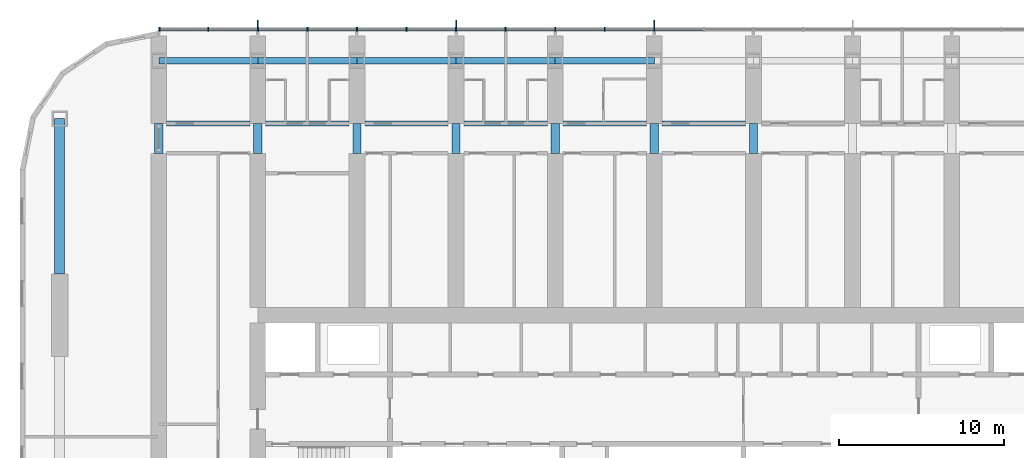
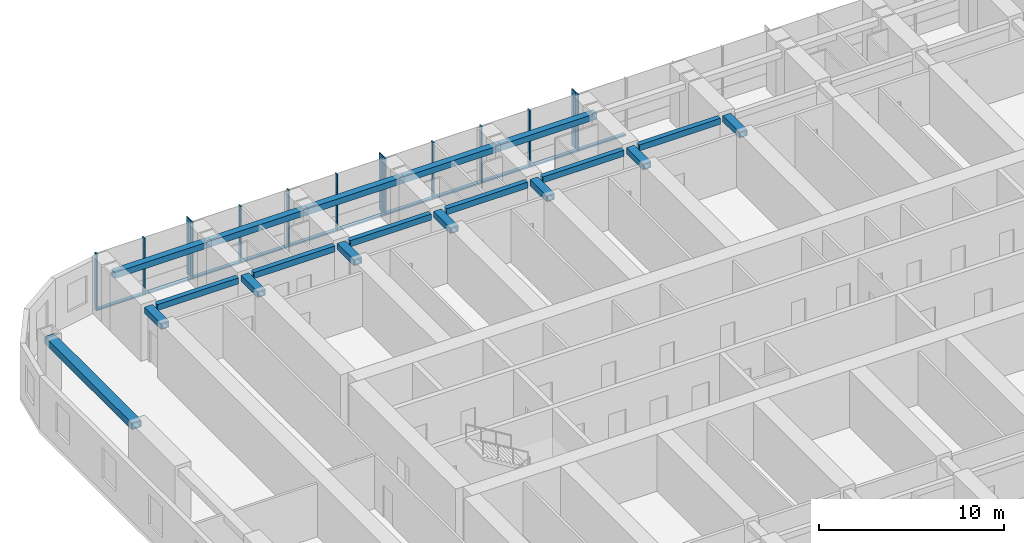
# One storey, part 4 of 21: 25 members, 19 beams, 1 element without a shape of its own.
"""IFC4 building model written with IfcOpenShell, lengths in metres."""

from ifc_helpers import new_model, si_unit, direction, frame, origin, origin_2d, place, context, subcontext, project, spatial, rectangle, hollow_rectangle, extrude, material, material_profile, profile_set, type_object, element, aggregate, save


model = new_model("IFC4")

# Units and contexts
model_context = context("Model", 3, precision=1e-05, world=origin(), true_north=direction((0.0, 1.0)))
body_context = subcontext(model_context, "Body", "Model", "MODEL_VIEW")
ifc_project = project(units=[si_unit("LENGTHUNIT", "METRE"), si_unit("AREAUNIT", "SQUARE_METRE"), si_unit("VOLUMEUNIT", "CUBIC_METRE"), si_unit("PLANEANGLEUNIT", "RADIAN"), si_unit("MASSUNIT", "GRAM", prefix="KILO")], contexts=[model_context])

# Site, building, storey
site_placement = place(None, origin())
site = spatial("IfcSite", under=ifc_project, at=site_placement, CompositionType="ELEMENT")
building_placement = place(site_placement, origin())
building = spatial("IfcBuilding", under=site, at=building_placement, Name="Orbita Commons", CompositionType="ELEMENT")
storey_placement = place(building_placement, frame((0.0, 0.0, 125.64990234375)))
storey = spatial("IfcBuildingStorey", under=building, at=storey_placement, Name="L31", CompositionType="ELEMENT", Elevation=125.64990234375)

# Curtain wall, members
ifc_material_1 = material(Name="Anodised aluminium frame, pale silver", Category="aluminium")
curtain_wall_type = type_object("IfcCurtainWallType", Name="Unitised curtain wall CW-T, vision and spandrel", PredefinedType="NOTDEFINED", material=ifc_material_1)
curtain_wall_placement = place(storey_placement, origin())
curtain_wall = element("IfcCurtainWall", 1, at=curtain_wall_placement, inside=storey, type_object=curtain_wall_type, Name="Curtain wall north L31", PredefinedType="NOTDEFINED")
ifc_material_2 = material(Name="Anodised aluminium, pale silver", Category="aluminium")
ifc_material_profile_1 = material_profile(ifc_material_2, rectangle(XDim=0.080078125, YDim=0.219970703125, at=origin_2d()), Name="AL 80x220")
ifc_profile_set_1 = profile_set([ifc_material_profile_1], Name="Anodised aluminium, pale silver")
member_type_1 = type_object("IfcMemberType", Name="Curtain wall mullion 80x220", PredefinedType="MULLION", material=ifc_profile_set_1)
member_1_placement = place(storey_placement, frame((42.0, 55.510009765625, -0.25), z_axis=(0.0, 0.0, 1.0), x_axis=(-1.0, 0.0, 0.0)))
member_1 = element("IfcMember", 2, at=member_1_placement, type_object=member_type_1, Name="Mullion 9 CW-L31-N", PredefinedType="MULLION", context=body_context, shape_type="SweptSolid", body=[
    extrude(rectangle(XDim=0.080078125, YDim=0.219970703125, at=origin_2d()), origin(), (0.0, 0.0, 1.0), 3.75),
])
member_2_placement = place(storey_placement, frame((39.0, 55.510009765625, -0.25), z_axis=(0.0, 0.0, 1.0), x_axis=(-1.0, 0.0, 0.0)))
member_2 = element("IfcMember", 3, at=member_2_placement, type_object=member_type_1, Name="Mullion 10 CW-L31-N", PredefinedType="MULLION", context=body_context, shape_type="SweptSolid", body=[
    extrude(rectangle(XDim=0.080078125, YDim=0.219970703125, at=origin_2d()), origin(), (0.0, 0.0, 1.0), 3.75),
])
member_3_placement = place(storey_placement, frame((36.0, 55.510009765625, -0.25), z_axis=(0.0, 0.0, 1.0), x_axis=(-1.0, 0.0, 0.0)))
member_3 = element("IfcMember", 4, at=member_3_placement, type_object=member_type_1, Name="Mullion 11 CW-L31-N", PredefinedType="MULLION", context=body_context, shape_type="SweptSolid", body=[
    extrude(rectangle(XDim=0.080078125, YDim=0.219970703125, at=origin_2d()), origin(), (0.0, 0.0, 1.0), 3.75),
])
member_4_placement = place(storey_placement, frame((33.0, 55.510009765625, -0.25), z_axis=(0.0, 0.0, 1.0), x_axis=(-1.0, 0.0, 0.0)))
member_4 = element("IfcMember", 5, at=member_4_placement, type_object=member_type_1, Name="Mullion 12 CW-L31-N", PredefinedType="MULLION", context=body_context, shape_type="SweptSolid", body=[
    extrude(rectangle(XDim=0.080078125, YDim=0.219970703125, at=origin_2d()), origin(), (0.0, 0.0, 1.0), 3.75),
])
member_5_placement = place(storey_placement, frame((30.0, 55.510009765625, -0.25), z_axis=(0.0, 0.0, 1.0), x_axis=(-1.0, 0.0, 0.0)))
member_5 = element("IfcMember", 6, at=member_5_placement, type_object=member_type_1, Name="Mullion 13 CW-L31-N", PredefinedType="MULLION", context=body_context, shape_type="SweptSolid", body=[
    extrude(rectangle(XDim=0.080078125, YDim=0.219970703125, at=origin_2d()), origin(), (0.0, 0.0, 1.0), 3.75),
])
member_6_placement = place(storey_placement, frame((27.0, 55.510009765625, -0.25), z_axis=(0.0, 0.0, 1.0), x_axis=(-1.0, 0.0, 0.0)))
member_6 = element("IfcMember", 7, at=member_6_placement, type_object=member_type_1, Name="Mullion 14 CW-L31-N", PredefinedType="MULLION", context=body_context, shape_type="SweptSolid", body=[
    extrude(rectangle(XDim=0.080078125, YDim=0.219970703125, at=origin_2d()), origin(), (0.0, 0.0, 1.0), 3.75),
])
member_7_placement = place(storey_placement, frame((24.0, 55.510009765625, -0.25), z_axis=(0.0, 0.0, 1.0), x_axis=(-1.0, 0.0, 0.0)))
member_7 = element("IfcMember", 8, at=member_7_placement, type_object=member_type_1, Name="Mullion 15 CW-L31-N", PredefinedType="MULLION", context=body_context, shape_type="SweptSolid", body=[
    extrude(rectangle(XDim=0.080078125, YDim=0.219970703125, at=origin_2d()), origin(), (0.0, 0.0, 1.0), 3.75),
])
member_8_placement = place(storey_placement, frame((21.0, 55.510009765625, -0.25), z_axis=(0.0, 0.0, 1.0), x_axis=(-1.0, 0.0, 0.0)))
member_8 = element("IfcMember", 9, at=member_8_placement, type_object=member_type_1, Name="Mullion 16 CW-L31-N", PredefinedType="MULLION", context=body_context, shape_type="SweptSolid", body=[
    extrude(rectangle(XDim=0.080078125, YDim=0.219970703125, at=origin_2d()), origin(), (0.0, 0.0, 1.0), 3.75),
])
member_9_placement = place(storey_placement, frame((18.0, 55.510009765625, -0.25), z_axis=(0.0, 0.0, 1.0), x_axis=(-1.0, 0.0, 0.0)))
member_9 = element("IfcMember", 10, at=member_9_placement, type_object=member_type_1, Name="Mullion 17 CW-L31-N", PredefinedType="MULLION", context=body_context, shape_type="SweptSolid", body=[
    extrude(rectangle(XDim=0.080078125, YDim=0.219970703125, at=origin_2d()), origin(), (0.0, 0.0, 1.0), 3.75),
])
member_10_placement = place(storey_placement, frame((15.0, 55.510009765625, -0.25), z_axis=(0.0, 0.0, 1.0), x_axis=(-1.0, 0.0, 0.0)))
member_10 = element("IfcMember", 11, at=member_10_placement, type_object=member_type_1, Name="Mullion 18 CW-L31-N", PredefinedType="MULLION", context=body_context, shape_type="SweptSolid", body=[
    extrude(rectangle(XDim=0.080078125, YDim=0.219970703125, at=origin_2d()), origin(), (0.0, 0.0, 1.0), 3.75),
])
member_11_placement = place(storey_placement, frame((12.0400390625, 55.510009765625, -0.25), z_axis=(0.0, 0.0, 1.0), x_axis=(-1.0, 0.0, 0.0)))
member_11 = element("IfcMember", 12, at=member_11_placement, type_object=member_type_1, Name="Mullion 19 CW-L31-N", PredefinedType="MULLION", context=body_context, shape_type="SweptSolid", body=[
    extrude(rectangle(XDim=0.080078125, YDim=0.219970703125, at=origin_2d()), origin(), (0.0, 0.0, 1.0), 3.75),
])
ifc_material_3 = material(Name="Anodised aluminium, pale silver", Category="aluminium")
ifc_material_profile_2 = material_profile(ifc_material_3, rectangle(XDim=0.219970703125, YDim=0.10009765625, at=origin_2d()), Name="AL 220x100")
ifc_profile_set_2 = profile_set([ifc_material_profile_2], Name="Anodised aluminium, pale silver")
member_type_2 = type_object("IfcMemberType", Name="Curtain wall stack transom 220x100", PredefinedType="USERDEFINED", material=ifc_profile_set_2)
member_12_placement = place(storey_placement, frame((44.9599609375, 55.510009765625, -0.199951171875), z_axis=(-1.0, 0.0, 0.0), x_axis=(0.0, -1.0, 0.0)))
member_12 = element("IfcMember", 13, at=member_12_placement, type_object=member_type_2, Name="Transom 8.1 CW-L31-N", ObjectType="TRANSOM", PredefinedType="USERDEFINED", context=body_context, shape_type="SweptSolid", body=[
    extrude(rectangle(XDim=0.219970703125, YDim=0.10009765625, at=origin_2d()), origin(), (0.0, 0.0, 1.0), 2.919921875),
])
member_13_placement = place(storey_placement, frame((41.9599609375, 55.510009765625, -0.199951171875), z_axis=(-1.0, 0.0, 0.0), x_axis=(0.0, -1.0, 0.0)))
member_13 = element("IfcMember", 14, at=member_13_placement, type_object=member_type_2, Name="Transom 9.1 CW-L31-N", ObjectType="TRANSOM", PredefinedType="USERDEFINED", context=body_context, shape_type="SweptSolid", body=[
    extrude(rectangle(XDim=0.219970703125, YDim=0.10009765625, at=origin_2d()), origin(), (0.0, 0.0, 1.0), 2.919921875),
])
member_14_placement = place(storey_placement, frame((38.9599609375, 55.510009765625, -0.199951171875), z_axis=(-1.0, 0.0, 0.0), x_axis=(0.0, -1.0, 0.0)))
member_14 = element("IfcMember", 15, at=member_14_placement, type_object=member_type_2, Name="Transom 10.1 CW-L31-N", ObjectType="TRANSOM", PredefinedType="USERDEFINED", context=body_context, shape_type="SweptSolid", body=[
    extrude(rectangle(XDim=0.219970703125, YDim=0.10009765625, at=origin_2d()), origin(), (0.0, 0.0, 1.0), 2.919921875),
])
member_15_placement = place(storey_placement, frame((35.9599609375, 55.510009765625, -0.199951171875), z_axis=(-1.0, 0.0, 0.0), x_axis=(0.0, -1.0, 0.0)))
member_15 = element("IfcMember", 16, at=member_15_placement, type_object=member_type_2, Name="Transom 11.1 CW-L31-N", ObjectType="TRANSOM", PredefinedType="USERDEFINED", context=body_context, shape_type="SweptSolid", body=[
    extrude(rectangle(XDim=0.219970703125, YDim=0.10009765625, at=origin_2d()), origin(), (0.0, 0.0, 1.0), 2.919921875),
])
member_16_placement = place(storey_placement, frame((32.9599609375, 55.510009765625, -0.199951171875), z_axis=(-1.0, 0.0, 0.0), x_axis=(0.0, -1.0, 0.0)))
member_16 = element("IfcMember", 17, at=member_16_placement, type_object=member_type_2, Name="Transom 12.1 CW-L31-N", ObjectType="TRANSOM", PredefinedType="USERDEFINED", context=body_context, shape_type="SweptSolid", body=[
    extrude(rectangle(XDim=0.219970703125, YDim=0.10009765625, at=origin_2d()), origin(), (0.0, 0.0, 1.0), 2.919921875),
])
member_17_placement = place(storey_placement, frame((29.9599609375, 55.510009765625, -0.199951171875), z_axis=(-1.0, 0.0, 0.0), x_axis=(0.0, -1.0, 0.0)))
member_17 = element("IfcMember", 18, at=member_17_placement, type_object=member_type_2, Name="Transom 13.1 CW-L31-N", ObjectType="TRANSOM", PredefinedType="USERDEFINED", context=body_context, shape_type="SweptSolid", body=[
    extrude(rectangle(XDim=0.219970703125, YDim=0.10009765625, at=origin_2d()), origin(), (0.0, 0.0, 1.0), 2.919921875),
])
member_18_placement = place(storey_placement, frame((26.9599609375, 55.510009765625, -0.199951171875), z_axis=(-1.0, 0.0, 0.0), x_axis=(0.0, -1.0, 0.0)))
member_18 = element("IfcMember", 19, at=member_18_placement, type_object=member_type_2, Name="Transom 14.1 CW-L31-N", ObjectType="TRANSOM", PredefinedType="USERDEFINED", context=body_context, shape_type="SweptSolid", body=[
    extrude(rectangle(XDim=0.219970703125, YDim=0.10009765625, at=origin_2d()), origin(), (0.0, 0.0, 1.0), 2.919921875),
])
member_19_placement = place(storey_placement, frame((23.9599609375, 55.510009765625, -0.199951171875), z_axis=(-1.0, 0.0, 0.0), x_axis=(0.0, -1.0, 0.0)))
member_19 = element("IfcMember", 20, at=member_19_placement, type_object=member_type_2, Name="Transom 15.1 CW-L31-N", ObjectType="TRANSOM", PredefinedType="USERDEFINED", context=body_context, shape_type="SweptSolid", body=[
    extrude(rectangle(XDim=0.219970703125, YDim=0.10009765625, at=origin_2d()), origin(), (0.0, 0.0, 1.0), 2.919921875),
])
member_20_placement = place(storey_placement, frame((20.9599609375, 55.510009765625, -0.199951171875), z_axis=(-1.0, 0.0, 0.0), x_axis=(0.0, -1.0, 0.0)))
member_20 = element("IfcMember", 21, at=member_20_placement, type_object=member_type_2, Name="Transom 16.1 CW-L31-N", ObjectType="TRANSOM", PredefinedType="USERDEFINED", context=body_context, shape_type="SweptSolid", body=[
    extrude(rectangle(XDim=0.219970703125, YDim=0.10009765625, at=origin_2d()), origin(), (0.0, 0.0, 1.0), 2.919921875),
])
member_21_placement = place(storey_placement, frame((17.9599609375, 55.510009765625, -0.199951171875), z_axis=(-1.0, 0.0, 0.0), x_axis=(0.0, -1.0, 0.0)))
member_21 = element("IfcMember", 22, at=member_21_placement, type_object=member_type_2, Name="Transom 17.1 CW-L31-N", ObjectType="TRANSOM", PredefinedType="USERDEFINED", context=body_context, shape_type="SweptSolid", body=[
    extrude(rectangle(XDim=0.219970703125, YDim=0.10009765625, at=origin_2d()), origin(), (0.0, 0.0, 1.0), 2.919921875),
])
member_22_placement = place(storey_placement, frame((14.9599609375, 55.510009765625, -0.199951171875), z_axis=(-1.0, 0.0, 0.0), x_axis=(0.0, -1.0, 0.0)))
member_22 = element("IfcMember", 23, at=member_22_placement, type_object=member_type_2, Name="Transom 18.1 CW-L31-N", ObjectType="TRANSOM", PredefinedType="USERDEFINED", context=body_context, shape_type="SweptSolid", body=[
    extrude(rectangle(XDim=0.219970703125, YDim=0.10009765625, at=origin_2d()), origin(), (0.0, 0.0, 1.0), 2.8798828125),
])

# Beams
ifc_material_4 = material(Name="Steel ASTM A572 Gr 50 welded plate", Category="steel")
ifc_material_profile_3 = material_profile(ifc_material_4, hollow_rectangle(XDim=0.300048828125, YDim=0.39990234375, WallThickness=0.0400390625, at=origin_2d()), Name="BOX 400x300x40")
ifc_profile_set_3 = profile_set([ifc_material_profile_3], Name="Steel ASTM A572 Gr 50 welded plate")
beam_type_1 = type_object("IfcBeamType", Name="Steel corridor link BOX 400x300x40", PredefinedType="BEAM", material=ifc_profile_set_3)
for number, where, z_axis, x_axis, name in (
    (24, (12.47509765625, 49.800048828125, 3.300048828125), (1.0, 0.0, 0.0), (0.0, 1.0, 0.0), "Corridor beam NB 3-4 L31"),
    (25, (18.47509765625, 49.800048828125, 3.300048828125), (1.0, 0.0, 0.0), (0.0, 1.0, 0.0), "Corridor beam NB 4-5 L31"),
    (26, (24.47509765625, 49.800048828125, 3.300048828125), (1.0, 0.0, 0.0), (0.0, 1.0, 0.0), "Corridor beam NB 5-6 L31"),
    (27, (30.47509765625, 49.800048828125, 3.300048828125), (1.0, 0.0, 0.0), (0.0, 1.0, 0.0), "Corridor beam NB 6-7 L31"),
    (28, (36.47509765625, 49.800048828125, 3.300048828125), (1.0, 0.0, 0.0), (0.0, 1.0, 0.0), "Corridor beam NB 7-8 L31"),
    (29, (42.47509765625, 49.800048828125, 3.300048828125), (1.0, 0.0, 0.0), (0.0, 1.0, 0.0), "Corridor beam NB 8-9 L31"),
):
    element("IfcBeam", number, at=place(storey_placement, frame(where, z_axis=z_axis, x_axis=x_axis)), inside=storey, type_object=beam_type_1, Name=name, PredefinedType="BEAM", context=body_context, shape_type="SweptSolid", body=[
        extrude(hollow_rectangle(XDim=0.300048828125, YDim=0.39990234375, WallThickness=0.0400390625, at=origin_2d()), origin(), (0.0, 0.0, 1.0), 5.0498046875),
    ])
ifc_material_5 = material(Name="Steel ASTM A572 Gr 50 welded plate", Category="steel")
ifc_material_profile_4 = material_profile(ifc_material_5, hollow_rectangle(XDim=0.5, YDim=0.39990234375, WallThickness=0.050048828125, at=origin_2d()), Name="BOX 400x500x50")
ifc_profile_set_4 = profile_set([ifc_material_profile_4], Name="Steel ASTM A572 Gr 50 welded plate")
beam_type_2 = type_object("IfcBeamType", Name="Steel coupling link BOX 400x500x50", PredefinedType="LINTEL", material=ifc_profile_set_4)
for number, where, z_axis, x_axis, name in (
    (30, (12.0, 48.0, 3.300048828125), (0.0, 1.0, 0.0), (-1.0, 0.0, 0.0), "Coupling beam 3 north L31"),
    (31, (18.0, 48.0, 3.300048828125), (0.0, 1.0, 0.0), (-1.0, 0.0, 0.0), "Coupling beam 4 north L31"),
    (32, (24.0, 48.0, 3.300048828125), (0.0, 1.0, 0.0), (-1.0, 0.0, 0.0), "Coupling beam 5 north L31"),
    (33, (30.0, 48.0, 3.300048828125), (0.0, 1.0, 0.0), (-1.0, 0.0, 0.0), "Coupling beam 6 north L31"),
    (34, (36.0, 48.0, 3.300048828125), (0.0, 1.0, 0.0), (-1.0, 0.0, 0.0), "Coupling beam 7 north L31"),
    (35, (42.0, 48.0, 3.300048828125), (0.0, 1.0, 0.0), (-1.0, 0.0, 0.0), "Coupling beam 8 north L31"),
    (36, (48.0, 48.0, 3.300048828125), (0.0, 1.0, 0.0), (-1.0, 0.0, 0.0), "Coupling beam 9 north L31"),
):
    element("IfcBeam", number, at=place(storey_placement, frame(where, z_axis=z_axis, x_axis=x_axis)), inside=storey, type_object=beam_type_2, Name=name, PredefinedType="LINTEL", context=body_context, shape_type="SweptSolid", body=[
        extrude(hollow_rectangle(XDim=0.5, YDim=0.39990234375, WallThickness=0.050048828125, at=origin_2d()), origin(), (0.0, 0.0, 1.0), 1.800048828125),
    ])
ifc_material_6 = material(Name="Steel ASTM A572 Gr 50 welded plate", Category="steel")
ifc_material_profile_5 = material_profile(ifc_material_6, hollow_rectangle(XDim=0.60009765625, YDim=0.449951171875, WallThickness=0.06005859375, at=origin_2d()), Name="BOX 450x600x60")
ifc_profile_set_5 = profile_set([ifc_material_profile_5], Name="Steel ASTM A572 Gr 50 welded plate")
beam_type_3 = type_object("IfcBeamType", Name="Steel end frame link BOX 450x600x60", PredefinedType="BEAM", material=ifc_profile_set_5)
beam_placement = place(storey_placement, frame((6.0, 40.699951171875, 3.275146484375), z_axis=(0.0, 1.0, 0.0), x_axis=(-1.0, 0.0, 0.0)))
element("IfcBeam", 37, at=beam_placement, inside=storey, type_object=beam_type_3, Name="End frame beam 2 D-E L31", PredefinedType="BEAM", context=body_context, shape_type="SweptSolid", body=[
    extrude(hollow_rectangle(XDim=0.60009765625, YDim=0.449951171875, WallThickness=0.06005859375, at=origin_2d()), origin(), (0.0, 0.0, 1.0), 9.400146484375),
])
ifc_material_7 = material(Name="Steel ASTM A572 Gr 50 welded plate", Category="steel")
ifc_material_profile_6 = material_profile(ifc_material_7, hollow_rectangle(XDim=0.39990234375, YDim=0.39990234375, WallThickness=0.0400390625, at=origin_2d()), Name="BOX 400x400x40")
ifc_profile_set_6 = profile_set([ifc_material_profile_6], Name="Steel ASTM A572 Gr 50 welded plate")
beam_type_4 = type_object("IfcBeamType", Name="Steel spandrel BOX 400x400x40", PredefinedType="SPANDREL", material=ifc_profile_set_6)
for number, where, z_axis, x_axis, name in (
    (38, (12.0, 53.60009765625, 3.300048828125), (1.0, 0.0, 0.0), (0.0, 1.0, 0.0), "Spandrel beam E 3-4 L31"),
    (39, (18.0, 53.60009765625, 3.300048828125), (1.0, 0.0, 0.0), (0.0, 1.0, 0.0), "Spandrel beam E 4-5 L31"),
    (40, (24.0, 53.60009765625, 3.300048828125), (1.0, 0.0, 0.0), (0.0, 1.0, 0.0), "Spandrel beam E 5-6 L31"),
    (41, (30.0, 53.60009765625, 3.300048828125), (1.0, 0.0, 0.0), (0.0, 1.0, 0.0), "Spandrel beam E 6-7 L31"),
    (42, (36.0, 53.60009765625, 3.300048828125), (1.0, 0.0, 0.0), (0.0, 1.0, 0.0), "Spandrel beam E 7-8 L31"),
):
    element("IfcBeam", number, at=place(storey_placement, frame(where, z_axis=z_axis, x_axis=x_axis)), inside=storey, type_object=beam_type_4, Name=name, PredefinedType="SPANDREL", context=body_context, shape_type="SweptSolid", body=[
        extrude(hollow_rectangle(XDim=0.39990234375, YDim=0.39990234375, WallThickness=0.0400390625, at=origin_2d()), origin(), (0.0, 0.0, 1.0), 6.0),
    ])

# Member
ifc_material_8 = material(Name="Anodised aluminium, pale silver", Category="aluminium")
ifc_material_profile_7 = material_profile(ifc_material_8, rectangle(XDim=0.06005859375, YDim=0.449951171875, at=origin_2d()), Name="FIN 60x450")
ifc_profile_set_7 = profile_set([ifc_material_profile_7], Name="Anodised aluminium, pale silver")
member_type_3 = type_object("IfcMemberType", Name="Vertical fin 60x450 pale aluminium", PredefinedType="USERDEFINED", material=ifc_profile_set_7)
member_23_placement = place(storey_placement, frame((42.0, 55.844970703125, -0.25), z_axis=(0.0, 0.0, 1.0), x_axis=(-1.0, 0.0, 0.0)))
member_23 = element("IfcMember", 43, at=member_23_placement, type_object=member_type_3, Name="Fin 9 CW-L31-N", ObjectType="FIN", PredefinedType="USERDEFINED", context=body_context, shape_type="SweptSolid", body=[
    extrude(rectangle(XDim=0.06005859375, YDim=0.449951171875, at=origin_2d()), origin(), (0.0, 0.0, 1.0), 3.75),
])

member_24_placement = place(storey_placement, frame((30.0, 55.844970703125, -0.25), z_axis=(0.0, 0.0, 1.0), x_axis=(-1.0, 0.0, 0.0)))
member_24 = element("IfcMember", 44, at=member_24_placement, type_object=member_type_3, Name="Fin 13 CW-L31-N", ObjectType="FIN", PredefinedType="USERDEFINED", context=body_context, shape_type="SweptSolid", body=[
    extrude(rectangle(XDim=0.06005859375, YDim=0.449951171875, at=origin_2d()), origin(), (0.0, 0.0, 1.0), 3.75),
])

member_25_placement = place(storey_placement, frame((18.0, 55.844970703125, -0.25), z_axis=(0.0, 0.0, 1.0), x_axis=(-1.0, 0.0, 0.0)))
member_25 = element("IfcMember", 45, at=member_25_placement, type_object=member_type_3, Name="Fin 17 CW-L31-N", ObjectType="FIN", PredefinedType="USERDEFINED", context=body_context, shape_type="SweptSolid", body=[
    extrude(rectangle(XDim=0.06005859375, YDim=0.449951171875, at=origin_2d()), origin(), (0.0, 0.0, 1.0), 3.75),
])

aggregate(curtain_wall, [member_1, member_23, member_2, member_3, member_4, member_5, member_24, member_6, member_7, member_8, member_9, member_25, member_10, member_11, member_12, member_13, member_14, member_15, member_16, member_17, member_18, member_19, member_20, member_21, member_22])

save(model, "model.ifc")
